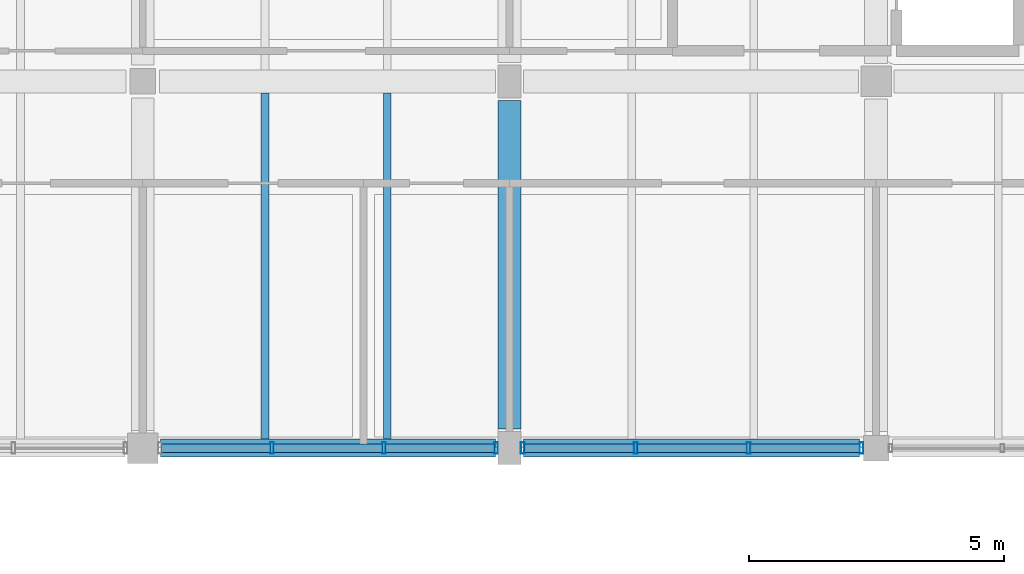
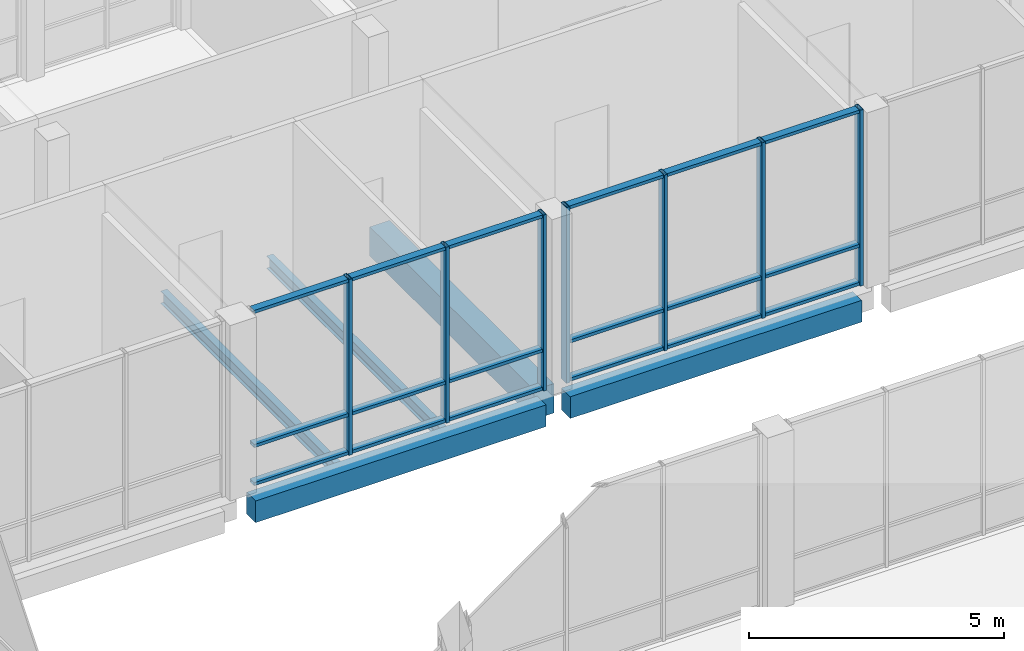
# One storey, part 36 of 104: 25 members, 5 beams, 2 elements without a shape of their own.
"""IFC4 building model written with IfcOpenShell, lengths in metres."""

import ifcopenshell
import ifcopenshell.guid

model = None  # the IFC model being written
_history = None  # IfcOwnerHistory: only IFC2X3 demands one
_inside = {}  # id of a spatial element -> (the spatial element, [elements in it])
_under = {}  # id of a project, library or spatial element -> (it, [spatial elements below it])
_declared = {}  # id of a project -> (the project, [libraries it declares])
_typed = {}  # id of a type object -> (the type object, [elements of that type])
_made_of = {}  # id of a material, layer set ... -> (it, [elements and type objects made of it])


def new_model(schema):
    """Start an empty IFC model of exactly this schema.

    Asked for "IFC4X3", IfcOpenShell would pick the latest addendum, in which some entities
    have other attributes; the version numbers below select the first issue.
    IFC2X3 requires an IfcOwnerHistory on every rooted entity: one is made here for all.
    """
    global model, _history
    if schema == "IFC4X3":
        model = ifcopenshell.file(schema_version=(4, 3, 0, 0))
    else:
        model = ifcopenshell.file(schema=schema)
    _inside.clear()
    _under.clear()
    _declared.clear()
    _typed.clear()
    _made_of.clear()
    _history = None
    if model.schema == "IFC2X3":
        org = make("IfcOrganization", Name="unknown")
        user = make(
            "IfcPersonAndOrganization",
            ThePerson=make("IfcPerson", FamilyName="unknown"),
            TheOrganization=org,
        )
        app = make(
            "IfcApplication",
            ApplicationDeveloper=org,
            Version="unknown",
            ApplicationFullName="unknown",
            ApplicationIdentifier="unknown",
        )
        _history = make(
            "IfcOwnerHistory",
            OwningUser=user,
            OwningApplication=app,
            ChangeAction="ADDED",
            CreationDate=0,
        )
    return model


def make(cls, **values):
    """One entity of the class cls with the attributes given. An attribute that is None is left unset."""
    return model.create_entity(
        cls, **{name: value for name, value in values.items() if value is not None}
    )


def rooted(cls, **values):
    """An entity with a GlobalId (a new one), such as an element, a storey or a relation."""
    return make(cls, GlobalId=ifcopenshell.guid.new(), OwnerHistory=_history, **values)


def si_unit(unit_type, name, prefix=None):
    """IfcSIUnit, for example si_unit("LENGTHUNIT", "METRE", prefix="MILLI")."""
    return make("IfcSIUnit", UnitType=unit_type, Prefix=prefix, Name=name)


def assignment(units):
    """IfcUnitAssignment: the units of a project."""
    return None if units is None else make("IfcUnitAssignment", Units=units)


def point(xyz):
    """IfcCartesianPoint."""
    return None if xyz is None else make("IfcCartesianPoint", Coordinates=xyz)


def direction(xyz):
    """IfcDirection."""
    return None if xyz is None else make("IfcDirection", DirectionRatios=xyz)


def frame(location, z_axis=None, x_axis=None):
    """IfcAxis2Placement3D, a coordinate frame: its origin and axes. An axis left out is left unset."""
    return make(
        "IfcAxis2Placement3D",
        Location=point(location),
        Axis=direction(z_axis),
        RefDirection=direction(x_axis),
    )


def frame_2d(location, x_axis=None):
    """IfcAxis2Placement2D, a coordinate frame in the plane: its origin and x axis."""
    return make(
        "IfcAxis2Placement2D", Location=point(location), RefDirection=direction(x_axis)
    )


def origin():
    """The frame at (0, 0, 0) with its axes left unset."""
    return frame((0.0, 0.0, 0.0))


def origin_2d():
    """The frame at (0, 0) in the plane with its x axis left unset."""
    return frame_2d((0.0, 0.0))


def place(relative_to, where):
    """IfcLocalPlacement: puts the frame where relative to a parent placement (None: the world)."""
    return make(
        "IfcLocalPlacement", PlacementRelTo=relative_to, RelativePlacement=where
    )


def context(
    kind, dimensions, precision=None, world=None, true_north=None, identifier=None
):
    """IfcGeometricRepresentationContext, for example the 3D "Model" context."""
    return make(
        "IfcGeometricRepresentationContext",
        ContextIdentifier=identifier,
        ContextType=kind,
        CoordinateSpaceDimension=dimensions,
        Precision=precision,
        WorldCoordinateSystem=world,
        TrueNorth=true_north,
    )


def subcontext(parent, identifier, kind, view, scale=None):
    """IfcGeometricRepresentationSubContext, for example "Body" below "Model"."""
    return make(
        "IfcGeometricRepresentationSubContext",
        ContextIdentifier=identifier,
        ContextType=kind,
        ParentContext=parent,
        TargetScale=scale,
        TargetView=view,
    )


def project(units=None, contexts=None):
    """IfcProject with its units and contexts."""
    return rooted(
        "IfcProject",
        Name="project",
        RepresentationContexts=contexts,
        UnitsInContext=assignment(units),
    )


def spatial(cls, under=None, at=None, **own):
    """A site, building, storey or space (cls), placed at a placement, below another one or the project."""
    s = rooted(cls, ObjectPlacement=at, **own)
    if under is not None:
        _under.setdefault(under.id(), (under, []))[1].append(s)
    return s


def profile(cls, at=None, kind="AREA", **sizes):
    """A parametric profile (cls). Its sizes go by their IFC names, for example OverallWidth=200.0."""
    return make(cls, ProfileType=kind, Position=at, **sizes)


def rectangle(**sizes):
    """IfcRectangleProfileDef."""
    return profile("IfcRectangleProfileDef", **sizes)


def hollow_rectangle(**sizes):
    """IfcRectangleHollowProfileDef."""
    return profile("IfcRectangleHollowProfileDef", **sizes)


def i_section(**sizes):
    """IfcIShapeProfileDef."""
    return profile("IfcIShapeProfileDef", **sizes)


def extrude(swept, where, along, depth):
    """IfcExtrudedAreaSolid: the profile swept, set in the frame where, extruded along a direction by depth."""
    return make(
        "IfcExtrudedAreaSolid",
        SweptArea=swept,
        Position=where,
        ExtrudedDirection=direction(along),
        Depth=depth,
    )


def shape(context_of_items, identifier, shape_type, items):
    """IfcShapeRepresentation: the items that make up one representation, for example the "Body"."""
    return make(
        "IfcShapeRepresentation",
        ContextOfItems=context_of_items,
        RepresentationIdentifier=identifier,
        RepresentationType=shape_type,
        Items=items,
    )


def material(Name=None, Category=None):
    """IfcMaterial."""
    return make("IfcMaterial", Name=Name, Category=Category)


def material_profile(
    of_material, cross_section, Name=None, Category=None, Priority=None
):
    """IfcMaterialProfile: a cross section and its material."""
    return make(
        "IfcMaterialProfile",
        Name=Name,
        Material=of_material,
        Profile=cross_section,
        Priority=Priority,
        Category=Category,
    )


def profile_set(profiles, Name=None, composite=None):
    """IfcMaterialProfileSet."""
    return make(
        "IfcMaterialProfileSet",
        Name=Name,
        MaterialProfiles=profiles,
        CompositeProfile=composite,
    )


def made_of(thing, what):
    """Note that an element or type object is made of a material, layer set ...; save() writes the relation."""
    if what is not None:
        _made_of.setdefault(what.id(), (what, []))[1].append(thing)
    return thing


def type_object(cls, material=None, **own):
    """A type object (cls), such as IfcWallType, which elements share."""
    return made_of(rooted(cls, **own), material)


def element(
    cls,
    number,
    at=None,
    inside=None,
    cuts=None,
    type_object=None,
    material=None,
    context=None,
    identifier="Body",
    shape_type=None,
    held_by="IfcProductDefinitionShape",
    body=None,
    shapes=None,
    **own,
):
    """One element of the class cls, such as IfcWall. Its Tag is "e" and its number.

    at: its placement. inside: the storey or other place that contains it. cuts: it is an
    opening in that element (IfcRelVoidsElement). A single representation is given by context,
    identifier, shape_type and body (its items); several are given by shapes. held_by: the class
    of the entity that holds the representations. save() writes the other relations.
    """
    e = rooted(cls, Tag="e%d" % number, ObjectPlacement=at, **own)
    if body is not None:
        shapes = [shape(context, identifier, shape_type, body)]
    if shapes is not None:
        e.Representation = make(held_by, Representations=shapes)
    if inside is not None:
        _inside.setdefault(inside.id(), (inside, []))[1].append(e)
    if cuts is not None:
        rooted(
            "IfcRelVoidsElement", RelatingBuildingElement=cuts, RelatedOpeningElement=e
        )
    if type_object is not None:
        _typed.setdefault(type_object.id(), (type_object, []))[1].append(e)
    return made_of(e, material)


def aggregate(whole, parts):
    """IfcRelAggregates: a whole, such as a stair, and the parts it consists of."""
    return rooted("IfcRelAggregates", RelatingObject=whole, RelatedObjects=parts)


def save(model, path):
    """Write the relations noted so far, then the file.

    IfcRelAggregates (storeys below a building ...), IfcRelContainedInSpatialStructure (elements
    in a storey), IfcRelDefinesByType, IfcRelAssociatesMaterial and IfcRelDeclares: one each for
    every whole, place, type object, material and project.
    """
    for whole, parts in _under.values():
        aggregate(whole, parts)
    for where, things in _inside.values():
        rooted(
            "IfcRelContainedInSpatialStructure",
            RelatedElements=things,
            RelatingStructure=where,
        )
    for kind, things in _typed.values():
        rooted("IfcRelDefinesByType", RelatedObjects=things, RelatingType=kind)
    for what, things in _made_of.values():
        rooted("IfcRelAssociatesMaterial", RelatedObjects=things, RelatingMaterial=what)
    for by, libraries in _declared.values():
        rooted("IfcRelDeclares", RelatingContext=by, RelatedDefinitions=libraries)
    model.write(path)


model = new_model("IFC4")

# Units and contexts
model_context = context("Model", 3, precision=1e-05, world=origin(), true_north=direction((0.0, 1.0)))
body_context = subcontext(model_context, "Body", "Model", "MODEL_VIEW")
ifc_project = project(units=[si_unit("LENGTHUNIT", "METRE"), si_unit("AREAUNIT", "SQUARE_METRE"), si_unit("VOLUMEUNIT", "CUBIC_METRE"), si_unit("PLANEANGLEUNIT", "RADIAN"), si_unit("MASSUNIT", "GRAM", prefix="KILO")], contexts=[model_context])

# Site, building, storey
site_placement = place(None, origin())
site = spatial("IfcSite", under=ifc_project, at=site_placement, CompositionType="ELEMENT")
building_placement = place(site_placement, origin())
building = spatial("IfcBuilding", under=site, at=building_placement, Name="Hawrajan Terrace Health Centre", CompositionType="ELEMENT")
storey_placement = place(building_placement, origin())
storey = spatial("IfcBuildingStorey", under=building, at=storey_placement, Name="L00", CompositionType="ELEMENT", Elevation=0.0)

# Curtain wall, members
ifc_material_1 = material(Name="Anodized bronze aluminium and low-E solar glazing", Category="aluminium")
curtain_wall_type_1 = type_object("IfcCurtainWallType", Name="CW_Garden_SeriesF1", PredefinedType="USERDEFINED", material=ifc_material_1)
curtain_wall_1_placement = place(storey_placement, origin())
curtain_wall_1 = element("IfcCurtainWall", 1, at=curtain_wall_1_placement, inside=storey, type_object=curtain_wall_type_1, Name="Curtain wall CW-L00-014", ObjectType="UNITISED CURTAIN WALL", PredefinedType="USERDEFINED")
ifc_material_2 = material(Name="Anodized bronze aluminium 6063-T6", Category="aluminium")
ifc_material_profile_1 = material_profile(ifc_material_2, hollow_rectangle(XDim=0.074951171875, YDim=0.219970703125, WallThickness=0.0048828125, at=origin_2d()), Name="CW MUL 75x220")
ifc_profile_set_1 = profile_set([ifc_material_profile_1], Name="Anodized bronze aluminium 6063-T6")
member_type_1 = type_object("IfcMemberType", Name="CWMullion_75x220", PredefinedType="MULLION", material=ifc_profile_set_1)
member_1_placement = place(storey_placement, frame((35.9375, 45.39990234375, -0.0048828125), z_axis=(0.0, 0.0, 1.0), x_axis=(1.0, 0.0, 0.0)))
member_1 = element("IfcMember", 2, at=member_1_placement, type_object=member_type_1, Name="Mullion CW-L00-014-M2", PredefinedType="MULLION", context=body_context, shape_type="SweptSolid", body=[
    extrude(hollow_rectangle(XDim=0.074951171875, YDim=0.219970703125, WallThickness=0.0048828125, at=origin_2d()), origin(), (0.0, 0.0, 1.0), 4.2099609375),
])
member_2_placement = place(storey_placement, frame((38.137451171875, 45.39990234375, -0.0048828125), z_axis=(0.0, 0.0, 1.0), x_axis=(1.0, 0.0, 0.0)))
member_2 = element("IfcMember", 3, at=member_2_placement, type_object=member_type_1, Name="Mullion CW-L00-014-M3", PredefinedType="MULLION", context=body_context, shape_type="SweptSolid", body=[
    extrude(hollow_rectangle(XDim=0.074951171875, YDim=0.219970703125, WallThickness=0.0048828125, at=origin_2d()), origin(), (0.0, 0.0, 1.0), 4.2099609375),
])
member_3_placement = place(storey_placement, frame((40.33740234375, 45.39990234375, -0.0048828125), z_axis=(0.0, 0.0, 1.0), x_axis=(1.0, 0.0, 0.0)))
member_3 = element("IfcMember", 4, at=member_3_placement, type_object=member_type_1, Name="Mullion CW-L00-014-M4", PredefinedType="MULLION", context=body_context, shape_type="SweptSolid", body=[
    extrude(hollow_rectangle(XDim=0.074951171875, YDim=0.219970703125, WallThickness=0.0048828125, at=origin_2d()), origin(), (0.0, 0.0, 1.0), 4.2099609375),
])

curtain_wall_type_2 = type_object("IfcCurtainWallType", Name="CW_Bridge_SeriesJ1", PredefinedType="USERDEFINED", material=ifc_material_1)
curtain_wall_2_placement = place(storey_placement, origin())
curtain_wall_2 = element("IfcCurtainWall", 5, at=curtain_wall_2_placement, inside=storey, type_object=curtain_wall_type_2, Name="Curtain wall CW-L00-020", ObjectType="UNITISED CURTAIN WALL", PredefinedType="USERDEFINED")
member_4_placement = place(storey_placement, frame((40.862548828125, 45.39990234375, -0.0048828125), z_axis=(0.0, 0.0, 1.0), x_axis=(1.0, 0.0, 0.0)))
member_4 = element("IfcMember", 6, at=member_4_placement, type_object=member_type_1, Name="Mullion CW-L00-020-M1", PredefinedType="MULLION", context=body_context, shape_type="SweptSolid", body=[
    extrude(hollow_rectangle(XDim=0.074951171875, YDim=0.219970703125, WallThickness=0.0048828125, at=origin_2d()), origin(), (0.0, 0.0, 1.0), 4.2099609375),
])
member_5_placement = place(storey_placement, frame((43.0791015625, 45.39990234375, -0.0048828125), z_axis=(0.0, 0.0, 1.0), x_axis=(1.0, 0.0, 0.0)))
member_5 = element("IfcMember", 7, at=member_5_placement, type_object=member_type_1, Name="Mullion CW-L00-020-M2", PredefinedType="MULLION", context=body_context, shape_type="SweptSolid", body=[
    extrude(hollow_rectangle(XDim=0.074951171875, YDim=0.219970703125, WallThickness=0.0048828125, at=origin_2d()), origin(), (0.0, 0.0, 1.0), 4.2099609375),
])
member_6_placement = place(storey_placement, frame((45.2958984375, 45.39990234375, -0.0048828125), z_axis=(0.0, 0.0, 1.0), x_axis=(1.0, 0.0, 0.0)))
member_6 = element("IfcMember", 8, at=member_6_placement, type_object=member_type_1, Name="Mullion CW-L00-020-M3", PredefinedType="MULLION", context=body_context, shape_type="SweptSolid", body=[
    extrude(hollow_rectangle(XDim=0.074951171875, YDim=0.219970703125, WallThickness=0.0048828125, at=origin_2d()), origin(), (0.0, 0.0, 1.0), 4.2099609375),
])
member_7_placement = place(storey_placement, frame((47.512451171875, 45.39990234375, -0.0048828125), z_axis=(0.0, 0.0, 1.0), x_axis=(1.0, 0.0, 0.0)))
member_7 = element("IfcMember", 9, at=member_7_placement, type_object=member_type_1, Name="Mullion CW-L00-020-M4", PredefinedType="MULLION", context=body_context, shape_type="SweptSolid", body=[
    extrude(hollow_rectangle(XDim=0.074951171875, YDim=0.219970703125, WallThickness=0.0048828125, at=origin_2d()), origin(), (0.0, 0.0, 1.0), 4.2099609375),
])

# Member
ifc_material_profile_2 = material_profile(ifc_material_2, hollow_rectangle(XDim=0.074951171875, YDim=0.169921875, WallThickness=0.00439453125, at=origin_2d()), Name="CW TRN 75x170")
ifc_profile_set_2 = profile_set([ifc_material_profile_2], Name="Anodized bronze aluminium 6063-T6")
member_type_2 = type_object("IfcMemberType", Name="CWTransom_75x170", PredefinedType="USERDEFINED", material=ifc_profile_set_2)
member_8_placement = place(storey_placement, frame((33.76904296875, 45.39990234375, 0.03759765625), z_axis=(1.0, 0.0, 0.0), x_axis=(0.0, 0.0, 1.0)))
member_8 = element("IfcMember", 10, at=member_8_placement, type_object=member_type_2, Name="Transom CW-L00-014-T1-1", ObjectType="TRANSOM", PredefinedType="USERDEFINED", context=body_context, shape_type="SweptSolid", body=[
    extrude(hollow_rectangle(XDim=0.074951171875, YDim=0.169921875, WallThickness=0.00439453125, at=origin_2d()), origin(), (0.0, 0.0, 1.0), 2.136962890625),
])

member_9_placement = place(storey_placement, frame((33.76904296875, 45.39990234375, 0.949951171875), z_axis=(1.0, 0.0, 0.0), x_axis=(0.0, 0.0, 1.0)))
member_9 = element("IfcMember", 11, at=member_9_placement, type_object=member_type_2, Name="Transom CW-L00-014-T1-2", ObjectType="TRANSOM", PredefinedType="USERDEFINED", context=body_context, shape_type="SweptSolid", body=[
    extrude(hollow_rectangle(XDim=0.074951171875, YDim=0.169921875, WallThickness=0.00439453125, at=origin_2d()), origin(), (0.0, 0.0, 1.0), 2.136962890625),
])

member_10_placement = place(storey_placement, frame((33.76904296875, 45.39990234375, 4.16259765625), z_axis=(1.0, 0.0, 0.0), x_axis=(0.0, 0.0, 1.0)))
member_10 = element("IfcMember", 12, at=member_10_placement, type_object=member_type_2, Name="Transom CW-L00-014-T1-3", ObjectType="TRANSOM", PredefinedType="USERDEFINED", context=body_context, shape_type="SweptSolid", body=[
    extrude(hollow_rectangle(XDim=0.074951171875, YDim=0.169921875, WallThickness=0.00439453125, at=origin_2d()), origin(), (0.0, 0.0, 1.0), 2.136962890625),
])

member_11_placement = place(storey_placement, frame((35.968994140625, 45.39990234375, 0.03759765625), z_axis=(1.0, 0.0, 0.0), x_axis=(0.0, 0.0, 1.0)))
member_11 = element("IfcMember", 13, at=member_11_placement, type_object=member_type_2, Name="Transom CW-L00-014-T2-1", ObjectType="TRANSOM", PredefinedType="USERDEFINED", context=body_context, shape_type="SweptSolid", body=[
    extrude(hollow_rectangle(XDim=0.074951171875, YDim=0.169921875, WallThickness=0.00439453125, at=origin_2d()), origin(), (0.0, 0.0, 1.0), 2.136962890625),
])

member_12_placement = place(storey_placement, frame((35.968994140625, 45.39990234375, 0.949951171875), z_axis=(1.0, 0.0, 0.0), x_axis=(0.0, 0.0, 1.0)))
member_12 = element("IfcMember", 14, at=member_12_placement, type_object=member_type_2, Name="Transom CW-L00-014-T2-2", ObjectType="TRANSOM", PredefinedType="USERDEFINED", context=body_context, shape_type="SweptSolid", body=[
    extrude(hollow_rectangle(XDim=0.074951171875, YDim=0.169921875, WallThickness=0.00439453125, at=origin_2d()), origin(), (0.0, 0.0, 1.0), 2.136962890625),
])

member_13_placement = place(storey_placement, frame((35.968994140625, 45.39990234375, 4.16259765625), z_axis=(1.0, 0.0, 0.0), x_axis=(0.0, 0.0, 1.0)))
member_13 = element("IfcMember", 15, at=member_13_placement, type_object=member_type_2, Name="Transom CW-L00-014-T2-3", ObjectType="TRANSOM", PredefinedType="USERDEFINED", context=body_context, shape_type="SweptSolid", body=[
    extrude(hollow_rectangle(XDim=0.074951171875, YDim=0.169921875, WallThickness=0.00439453125, at=origin_2d()), origin(), (0.0, 0.0, 1.0), 2.136962890625),
])

member_14_placement = place(storey_placement, frame((38.1689453125, 45.39990234375, 0.03759765625), z_axis=(1.0, 0.0, 0.0), x_axis=(0.0, 0.0, 1.0)))
member_14 = element("IfcMember", 16, at=member_14_placement, type_object=member_type_2, Name="Transom CW-L00-014-T3-1", ObjectType="TRANSOM", PredefinedType="USERDEFINED", context=body_context, shape_type="SweptSolid", body=[
    extrude(hollow_rectangle(XDim=0.074951171875, YDim=0.169921875, WallThickness=0.00439453125, at=origin_2d()), origin(), (0.0, 0.0, 1.0), 2.136962890625),
])

member_15_placement = place(storey_placement, frame((38.1689453125, 45.39990234375, 0.949951171875), z_axis=(1.0, 0.0, 0.0), x_axis=(0.0, 0.0, 1.0)))
member_15 = element("IfcMember", 17, at=member_15_placement, type_object=member_type_2, Name="Transom CW-L00-014-T3-2", ObjectType="TRANSOM", PredefinedType="USERDEFINED", context=body_context, shape_type="SweptSolid", body=[
    extrude(hollow_rectangle(XDim=0.074951171875, YDim=0.169921875, WallThickness=0.00439453125, at=origin_2d()), origin(), (0.0, 0.0, 1.0), 2.136962890625),
])

member_16_placement = place(storey_placement, frame((38.1689453125, 45.39990234375, 4.16259765625), z_axis=(1.0, 0.0, 0.0), x_axis=(0.0, 0.0, 1.0)))
member_16 = element("IfcMember", 18, at=member_16_placement, type_object=member_type_2, Name="Transom CW-L00-014-T3-3", ObjectType="TRANSOM", PredefinedType="USERDEFINED", context=body_context, shape_type="SweptSolid", body=[
    extrude(hollow_rectangle(XDim=0.074951171875, YDim=0.169921875, WallThickness=0.00439453125, at=origin_2d()), origin(), (0.0, 0.0, 1.0), 2.136962890625),
])

aggregate(curtain_wall_1, [member_1, member_2, member_3, member_8, member_9, member_10, member_11, member_12, member_13, member_14, member_15, member_16])

member_17_placement = place(storey_placement, frame((40.89404296875, 45.39990234375, 0.03759765625), z_axis=(1.0, 0.0, 0.0), x_axis=(0.0, 0.0, 1.0)))
member_17 = element("IfcMember", 19, at=member_17_placement, type_object=member_type_2, Name="Transom CW-L00-020-T1-1", ObjectType="TRANSOM", PredefinedType="USERDEFINED", context=body_context, shape_type="SweptSolid", body=[
    extrude(hollow_rectangle(XDim=0.074951171875, YDim=0.169921875, WallThickness=0.00439453125, at=origin_2d()), origin(), (0.0, 0.0, 1.0), 2.153564453125),
])

member_18_placement = place(storey_placement, frame((40.89404296875, 45.39990234375, 0.949951171875), z_axis=(1.0, 0.0, 0.0), x_axis=(0.0, 0.0, 1.0)))
member_18 = element("IfcMember", 20, at=member_18_placement, type_object=member_type_2, Name="Transom CW-L00-020-T1-2", ObjectType="TRANSOM", PredefinedType="USERDEFINED", context=body_context, shape_type="SweptSolid", body=[
    extrude(hollow_rectangle(XDim=0.074951171875, YDim=0.169921875, WallThickness=0.00439453125, at=origin_2d()), origin(), (0.0, 0.0, 1.0), 2.153564453125),
])

member_19_placement = place(storey_placement, frame((40.89404296875, 45.39990234375, 4.16259765625), z_axis=(1.0, 0.0, 0.0), x_axis=(0.0, 0.0, 1.0)))
member_19 = element("IfcMember", 21, at=member_19_placement, type_object=member_type_2, Name="Transom CW-L00-020-T1-3", ObjectType="TRANSOM", PredefinedType="USERDEFINED", context=body_context, shape_type="SweptSolid", body=[
    extrude(hollow_rectangle(XDim=0.074951171875, YDim=0.169921875, WallThickness=0.00439453125, at=origin_2d()), origin(), (0.0, 0.0, 1.0), 2.153564453125),
])

member_20_placement = place(storey_placement, frame((43.110595703125, 45.39990234375, 0.03759765625), z_axis=(1.0, 0.0, 0.0), x_axis=(0.0, 0.0, 1.0)))
member_20 = element("IfcMember", 22, at=member_20_placement, type_object=member_type_2, Name="Transom CW-L00-020-T2-1", ObjectType="TRANSOM", PredefinedType="USERDEFINED", context=body_context, shape_type="SweptSolid", body=[
    extrude(hollow_rectangle(XDim=0.074951171875, YDim=0.169921875, WallThickness=0.00439453125, at=origin_2d()), origin(), (0.0, 0.0, 1.0), 2.15380859375),
])

member_21_placement = place(storey_placement, frame((43.110595703125, 45.39990234375, 0.949951171875), z_axis=(1.0, 0.0, 0.0), x_axis=(0.0, 0.0, 1.0)))
member_21 = element("IfcMember", 23, at=member_21_placement, type_object=member_type_2, Name="Transom CW-L00-020-T2-2", ObjectType="TRANSOM", PredefinedType="USERDEFINED", context=body_context, shape_type="SweptSolid", body=[
    extrude(hollow_rectangle(XDim=0.074951171875, YDim=0.169921875, WallThickness=0.00439453125, at=origin_2d()), origin(), (0.0, 0.0, 1.0), 2.15380859375),
])

member_22_placement = place(storey_placement, frame((43.110595703125, 45.39990234375, 4.16259765625), z_axis=(1.0, 0.0, 0.0), x_axis=(0.0, 0.0, 1.0)))
member_22 = element("IfcMember", 24, at=member_22_placement, type_object=member_type_2, Name="Transom CW-L00-020-T2-3", ObjectType="TRANSOM", PredefinedType="USERDEFINED", context=body_context, shape_type="SweptSolid", body=[
    extrude(hollow_rectangle(XDim=0.074951171875, YDim=0.169921875, WallThickness=0.00439453125, at=origin_2d()), origin(), (0.0, 0.0, 1.0), 2.15380859375),
])

member_23_placement = place(storey_placement, frame((45.327392578125, 45.39990234375, 0.03759765625), z_axis=(1.0, 0.0, 0.0), x_axis=(0.0, 0.0, 1.0)))
member_23 = element("IfcMember", 25, at=member_23_placement, type_object=member_type_2, Name="Transom CW-L00-020-T3-1", ObjectType="TRANSOM", PredefinedType="USERDEFINED", context=body_context, shape_type="SweptSolid", body=[
    extrude(hollow_rectangle(XDim=0.074951171875, YDim=0.169921875, WallThickness=0.00439453125, at=origin_2d()), origin(), (0.0, 0.0, 1.0), 2.153564453125),
])

member_24_placement = place(storey_placement, frame((45.327392578125, 45.39990234375, 0.949951171875), z_axis=(1.0, 0.0, 0.0), x_axis=(0.0, 0.0, 1.0)))
member_24 = element("IfcMember", 26, at=member_24_placement, type_object=member_type_2, Name="Transom CW-L00-020-T3-2", ObjectType="TRANSOM", PredefinedType="USERDEFINED", context=body_context, shape_type="SweptSolid", body=[
    extrude(hollow_rectangle(XDim=0.074951171875, YDim=0.169921875, WallThickness=0.00439453125, at=origin_2d()), origin(), (0.0, 0.0, 1.0), 2.153564453125),
])

member_25_placement = place(storey_placement, frame((45.327392578125, 45.39990234375, 4.16259765625), z_axis=(1.0, 0.0, 0.0), x_axis=(0.0, 0.0, 1.0)))
member_25 = element("IfcMember", 27, at=member_25_placement, type_object=member_type_2, Name="Transom CW-L00-020-T3-3", ObjectType="TRANSOM", PredefinedType="USERDEFINED", context=body_context, shape_type="SweptSolid", body=[
    extrude(hollow_rectangle(XDim=0.074951171875, YDim=0.169921875, WallThickness=0.00439453125, at=origin_2d()), origin(), (0.0, 0.0, 1.0), 2.153564453125),
])

aggregate(curtain_wall_2, [member_4, member_5, member_6, member_7, member_17, member_18, member_19, member_20, member_21, member_22, member_23, member_24, member_25])

# Beams
ifc_material_3 = material(Name="Concrete C40/50", Category="concrete")
ifc_material_profile_3 = material_profile(ifc_material_3, rectangle(XDim=0.449951171875, YDim=0.699951171875, at=origin_2d()), Name="RC BM 450x700")
ifc_profile_set_3 = profile_set([ifc_material_profile_3], Name="Concrete C40/50")
beam_type_1 = type_object("IfcBeamType", Name="RCGirder_450x700", PredefinedType="BEAM", material=ifc_profile_set_3)
beam_1_placement = place(storey_placement, frame((40.60009765625, 45.77490234375, -0.64990234375), z_axis=(0.0, 1.0, 0.0), x_axis=(-1.0, 0.0, 0.0)))
element("IfcBeam", 28, at=beam_1_placement, inside=storey, type_object=beam_type_1, Name="Beam BM-Y-L00-W-X06-6", PredefinedType="BEAM", context=body_context, shape_type="SweptSolid", body=[
    extrude(rectangle(XDim=0.449951171875, YDim=0.699951171875, at=origin_2d()), origin(), (0.0, 0.0, 1.0), 6.4501953125),
])
ifc_material_profile_4 = material_profile(ifc_material_3, rectangle(XDim=0.35009765625, YDim=0.52001953125, at=origin_2d()), Name="RC SP 350x520")
ifc_profile_set_4 = profile_set([ifc_material_profile_4], Name="Concrete C40/50")
beam_type_2 = type_object("IfcBeamType", Name="RCSpandrel_350x520", PredefinedType="SPANDREL", material=ifc_profile_set_4)
beam_2_placement = place(storey_placement, frame((33.75, 45.39990234375, -0.56005859375), z_axis=(1.0, 0.0, 0.0), x_axis=(0.0, 1.0, 0.0)))
element("IfcBeam", 29, at=beam_2_placement, inside=storey, type_object=beam_type_2, Name="Beam BM-X-L00-W-05-Y6", PredefinedType="SPANDREL", context=body_context, shape_type="SweptSolid", body=[
    extrude(rectangle(XDim=0.35009765625, YDim=0.52001953125, at=origin_2d()), origin(), (0.0, 0.0, 1.0), 6.574951171875),
])
beam_3_placement = place(storey_placement, frame((40.875, 45.39990234375, -0.56005859375), z_axis=(1.0, 0.0, 0.0), x_axis=(0.0, 1.0, 0.0)))
element("IfcBeam", 30, at=beam_3_placement, inside=storey, type_object=beam_type_2, Name="Beam BM-X-L00-W-06-Y6", PredefinedType="SPANDREL", context=body_context, shape_type="SweptSolid", body=[
    extrude(rectangle(XDim=0.35009765625, YDim=0.52001953125, at=origin_2d()), origin(), (0.0, 0.0, 1.0), 6.60009765625),
])
ifc_material_4 = material(Name="Steel S355", Category="steel")
ifc_material_profile_5 = material_profile(ifc_material_4, i_section(OverallWidth=0.14990234375, OverallDepth=0.300048828125, WebThickness=0.007080078125, FlangeThickness=0.0107421875, FilletRadius=0.014892578125, at=origin_2d()), Name="IPE 300")
ifc_profile_set_5 = profile_set([ifc_material_profile_5], Name="Steel S355")
beam_type_3 = type_object("IfcBeamType", Name="SteelBeam_IPE300", PredefinedType="JOIST", material=ifc_profile_set_5)
for number, where, z_axis, x_axis, name in (
    (31, (35.800048828125, 45.574951171875, -0.449951171875), (0.0, 1.0, 0.0), (-1.0, 0.0, 0.0), "Secondary joist JST-L00-W-05-6-1"),
    (32, (38.199951171875, 45.574951171875, -0.449951171875), (0.0, 1.0, 0.0), (-1.0, 0.0, 0.0), "Secondary joist JST-L00-W-05-6-2"),
):
    element("IfcBeam", number, at=place(storey_placement, frame(where, z_axis=z_axis, x_axis=x_axis)), inside=storey, type_object=beam_type_3, Name=name, PredefinedType="JOIST", context=body_context, shape_type="SweptSolid", body=[
        extrude(i_section(OverallWidth=0.14990234375, OverallDepth=0.300048828125, WebThickness=0.007080078125, FlangeThickness=0.0107421875, FilletRadius=0.014892578125, at=origin_2d()), origin(), (0.0, 0.0, 1.0), 6.800048828125),
    ])

save(model, "model.ifc")
